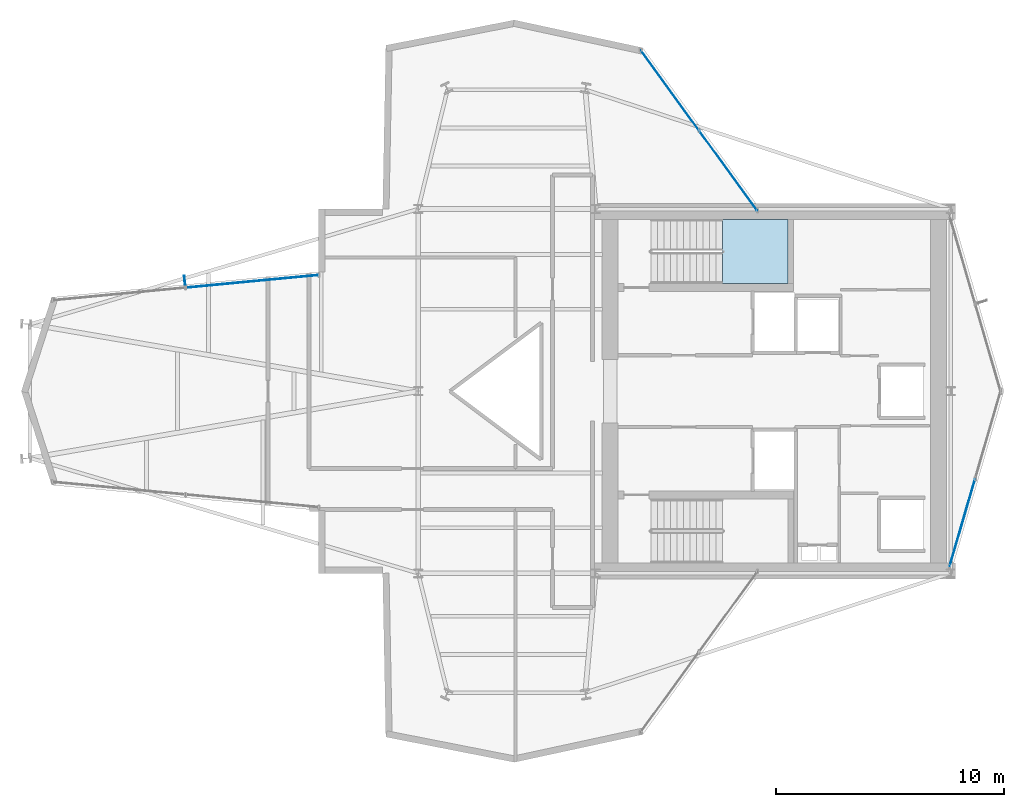
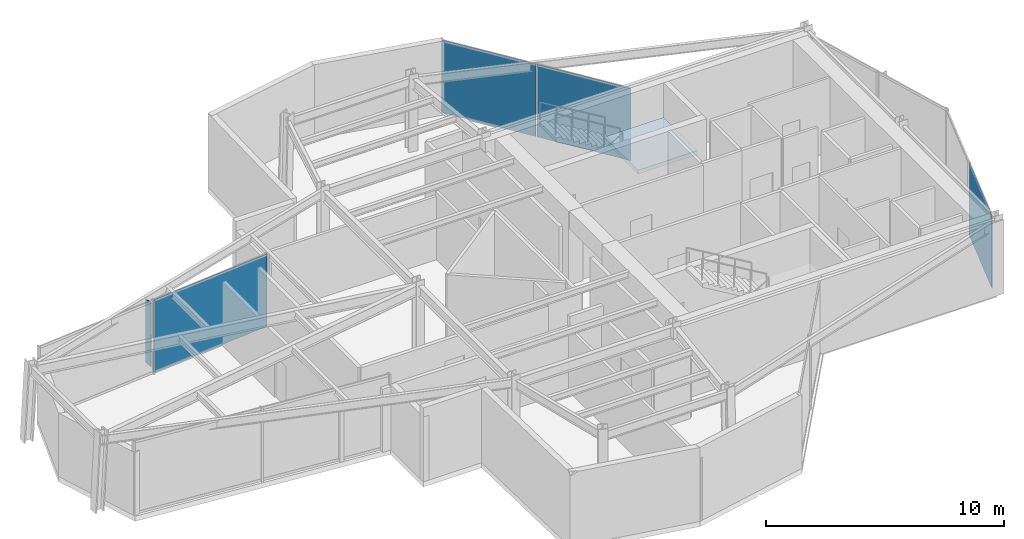
# One storey, part 17 of 21: 5 plates, 1 slab, 4 elements without a shape of their own.
"""IFC4 building model written with IfcOpenShell, lengths in metres."""

from ifc_helpers import new_model, si_unit, direction, frame, origin, origin_2d, place, context, subcontext, project, spatial, polyline, rectangle, outline, extrude, material, layer, layer_set, type_object, element, aggregate, save


model = new_model("IFC4")

# Units and contexts
model_context = context("Model", 3, precision=1e-05, world=origin(), true_north=direction((0.0, 1.0)))
body_context = subcontext(model_context, "Body", "Model", "MODEL_VIEW")
ifc_project = project(units=[si_unit("LENGTHUNIT", "METRE"), si_unit("AREAUNIT", "SQUARE_METRE"), si_unit("VOLUMEUNIT", "CUBIC_METRE"), si_unit("PLANEANGLEUNIT", "RADIAN"), si_unit("MASSUNIT", "GRAM", prefix="KILO")], contexts=[model_context])

# Site, building, storey
site_placement = place(None, origin())
site = spatial("IfcSite", under=ifc_project, at=site_placement, CompositionType="ELEMENT")
building_placement = place(site_placement, origin())
building = spatial("IfcBuilding", under=site, at=building_placement, Name="Veymaron Broadcast Tower", CompositionType="ELEMENT")
storey_placement = place(building_placement, frame((0.0, 0.0, 232.35009765625)))
storey = spatial("IfcBuildingStorey", under=building, at=storey_placement, Name="L54", CompositionType="ELEMENT", Elevation=232.35009765625)

# Curtain wall, plate
ifc_material_1 = material(Name="Anodised aluminium AA 6063-T6 and laminated low-E dark glass", Category="aluminium")
ifc_layer_1 = layer(ifc_material_1, 0.179931640625)
ifc_layer_set_1 = layer_set([ifc_layer_1], Name="Anodised aluminium AA 6063-T6 and laminated low-E dark glass")
curtain_wall_type = type_object("IfcCurtainWallType", Name="CW-SYS-05", PredefinedType="NOTDEFINED", material=ifc_layer_set_1)
curtain_wall_1_placement = place(storey_placement, origin())
curtain_wall_1 = element("IfcCurtainWall", 1, at=curtain_wall_1_placement, inside=storey, type_object=curtain_wall_type, Name="L54 dark-glass curtain wall CW-L54-E2-1", PredefinedType="NOTDEFINED")
ifc_material_2 = material(Name="Double-silver solar-control dark glass IGU 32 mm", Category="glass")
ifc_layer_2 = layer(ifc_material_2, 0.031982421875)
ifc_layer_set_2 = layer_set([ifc_layer_2], Name="Double-silver solar-control dark glass IGU 32 mm")
plate_type_1 = type_object("IfcPlateType", Name="CW-PNL-02", PredefinedType="CURTAIN_PANEL", material=ifc_layer_set_2)
plate_1_placement = place(storey_placement, frame((55.101318359375, 18.221435546875, 0.0400390625), z_axis=(0.0, 0.0, 1.0), x_axis=(0.279745232811, 0.960074270418, 0.0)))
plate_1 = element("IfcPlate", 2, at=plate_1_placement, type_object=plate_type_1, Name="CW-L54-E2-1 unitised curtain panel 0", PredefinedType="CURTAIN_PANEL", context=body_context, shape_type="SweptSolid", body=[
    extrude(rectangle(XDim=3.979736328125, YDim=0.031982421875, at=origin_2d()), origin(), (0.0, 0.0, 1.0), 3.7099609375),
])
aggregate(curtain_wall_1, [plate_1])

# Curtain wall, plates
curtain_wall_2_placement = place(storey_placement, origin())
curtain_wall_2 = element("IfcCurtainWall", 3, at=curtain_wall_2_placement, inside=storey, type_object=curtain_wall_type, Name="L54 dark-glass curtain wall CW-L54-E5-1", PredefinedType="NOTDEFINED")
plate_2_placement = place(storey_placement, frame((44.817626953125, 33.688232421875, 0.0400390625), z_axis=(0.0, 0.0, 1.0), x_axis=(-0.588109965161, 0.808780977075, 0.0)))
plate_2 = element("IfcPlate", 4, at=plate_2_placement, type_object=plate_type_1, Name="CW-L54-E5-1 unitised curtain panel 0", PredefinedType="CURTAIN_PANEL", context=body_context, shape_type="SweptSolid", body=[
    extrude(rectangle(XDim=4.318115234375, YDim=0.031982421875, at=origin_2d()), origin(), (0.0, 0.0, 1.0), 3.7099609375),
])
plate_3_placement = place(storey_placement, frame((42.242919921875, 37.229248046875, 0.0400390625), z_axis=(0.0, 0.0, 1.0), x_axis=(-0.588109965161, 0.808780977075, 0.0)))
plate_3 = element("IfcPlate", 5, at=plate_3_placement, type_object=plate_type_1, Name="CW-L54-E5-1 unitised curtain panel 1", PredefinedType="CURTAIN_PANEL", context=body_context, shape_type="SweptSolid", body=[
    extrude(rectangle(XDim=4.318115234375, YDim=0.031982421875, at=origin_2d()), origin(), (0.0, 0.0, 1.0), 3.7099609375),
])
aggregate(curtain_wall_2, [plate_2, plate_3])

# Curtain wall, plate
curtain_wall_3_placement = place(storey_placement, origin())
curtain_wall_3 = element("IfcCurtainWall", 6, at=curtain_wall_3_placement, inside=storey, type_object=curtain_wall_type, Name="L54 dark-glass curtain wall CW-L54-E11-1", PredefinedType="NOTDEFINED")
plate_4_placement = place(storey_placement, frame((23.90625, 28.82080078125, 0.0400390625), z_axis=(0.0, 0.0, 1.0), x_axis=(-0.995524106892, -0.094507949912, 0.0)))
plate_4 = element("IfcPlate", 7, at=plate_4_placement, type_object=plate_type_1, Name="CW-L54-E11-1 unitised curtain panel 0", PredefinedType="CURTAIN_PANEL", context=body_context, shape_type="SweptSolid", body=[
    extrude(rectangle(XDim=5.828369140625, YDim=0.031982421875, at=origin_2d()), origin(), (0.0, 0.0, 1.0), 3.7099609375),
])
aggregate(curtain_wall_3, [plate_4])

# Plate
ifc_material_3 = material(Name="Dark-anodised aluminium AA 6061-T6", Category="aluminium")
ifc_layer_3 = layer(ifc_material_3, 0.031982421875)
ifc_layer_set_3 = layer_set([ifc_layer_3], Name="Dark-anodised aluminium AA 6061-T6")
plate_type_2 = type_object("IfcPlateType", Name="FIN-CHEV-03", PredefinedType="USERDEFINED", material=ifc_layer_set_3)
plate_5_placement = place(storey_placement, frame((20.944091796875, 28.87109375, 0.26513671875), z_axis=(0.0, 0.0, 1.0), x_axis=(-0.094507949912, 0.995524106892, 0.0)))
element("IfcPlate", 8, at=plate_5_placement, inside=storey, type_object=plate_type_2, Name="CW-L54-E11-1 chevron fin 1", ObjectType="FIN", PredefinedType="USERDEFINED", context=body_context, shape_type="SweptSolid", body=[
    extrude(rectangle(XDim=0.39990234375, YDim=0.034912109375, at=origin_2d()), origin(), (0.0, 0.0, 1.0), 3.259521484375),
])

# Stair, slab
ifc_material_4 = material(Name="Concrete C50/60", Category="concrete")
stair_type = type_object("IfcStairType", Name="STAIR-CORE-1", PredefinedType="HALF_TURN_STAIR", material=ifc_material_4)
stair_placement = place(storey_placement, origin())
stair = element("IfcStair", 9, at=stair_placement, inside=storey, type_object=stair_type, Name="L54 North protected dog-leg exit stair ST1", PredefinedType="HALF_TURN_STAIR")
ifc_layer_4 = layer(ifc_material_4, 0.199951171875)
ifc_layer_set_4 = layer_set([ifc_layer_4], Name="Concrete C50/60")
slab_type = type_object("IfcSlabType", Name="SLAB-STAIR-LDG", PredefinedType="LANDING", material=ifc_layer_set_4)
slab_placement = place(storey_placement, frame((0.0, 0.0, 1.824951171875)))
slab = element("IfcSlab", 10, at=slab_placement, type_object=slab_type, Name="ST1 landing 1", PredefinedType="LANDING", context=body_context, shape_type="SweptSolid", body=[
    extrude(outline(polyline([(44.56494140625, 28.72998046875), (47.43994140625, 28.72998046875), (47.43994140625, 31.550048828125), (44.56494140625, 31.550048828125), (44.56494140625, 28.72998046875)])), origin(), (0.0, 0.0, 1.0), 0.199951171875),
])
aggregate(stair, [slab])

save(model, "model.ifc")
